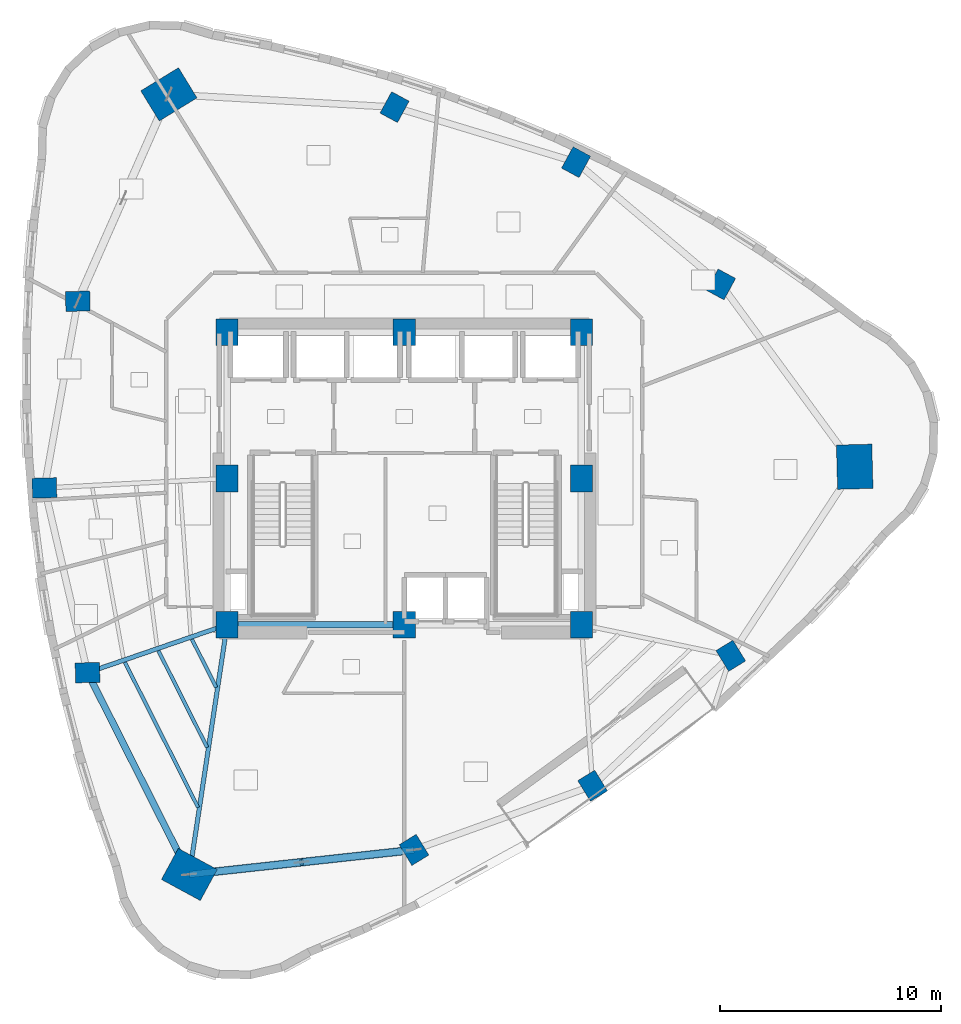
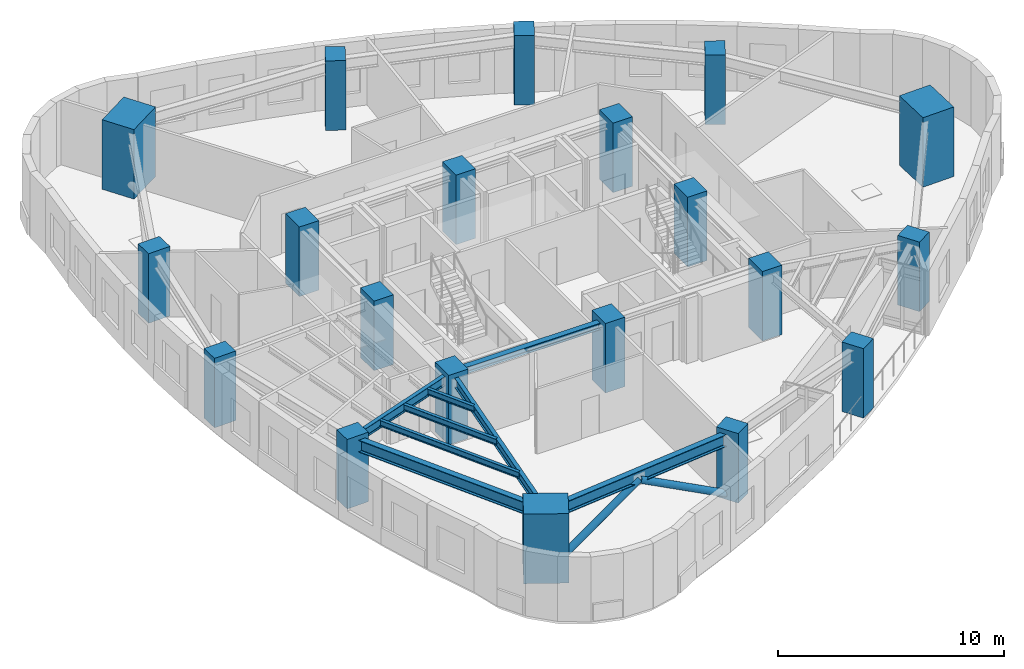
# One storey, part 1 of 12: 20 columns, 8 beams, 2 members.
"""IFC4 building model written with IfcOpenShell, lengths in metres."""

import ifcopenshell
import ifcopenshell.guid

model = None  # the IFC model being written
_history = None  # IfcOwnerHistory: only IFC2X3 demands one
_inside = {}  # id of a spatial element -> (the spatial element, [elements in it])
_under = {}  # id of a project, library or spatial element -> (it, [spatial elements below it])
_declared = {}  # id of a project -> (the project, [libraries it declares])
_typed = {}  # id of a type object -> (the type object, [elements of that type])
_made_of = {}  # id of a material, layer set ... -> (it, [elements and type objects made of it])


def new_model(schema):
    """Start an empty IFC model of exactly this schema.

    Asked for "IFC4X3", IfcOpenShell would pick the latest addendum, in which some entities
    have other attributes; the version numbers below select the first issue.
    IFC2X3 requires an IfcOwnerHistory on every rooted entity: one is made here for all.
    """
    global model, _history
    if schema == "IFC4X3":
        model = ifcopenshell.file(schema_version=(4, 3, 0, 0))
    else:
        model = ifcopenshell.file(schema=schema)
    _inside.clear()
    _under.clear()
    _declared.clear()
    _typed.clear()
    _made_of.clear()
    _history = None
    if model.schema == "IFC2X3":
        org = make("IfcOrganization", Name="unknown")
        user = make(
            "IfcPersonAndOrganization",
            ThePerson=make("IfcPerson", FamilyName="unknown"),
            TheOrganization=org,
        )
        app = make(
            "IfcApplication",
            ApplicationDeveloper=org,
            Version="unknown",
            ApplicationFullName="unknown",
            ApplicationIdentifier="unknown",
        )
        _history = make(
            "IfcOwnerHistory",
            OwningUser=user,
            OwningApplication=app,
            ChangeAction="ADDED",
            CreationDate=0,
        )
    return model


def make(cls, **values):
    """One entity of the class cls with the attributes given. An attribute that is None is left unset."""
    return model.create_entity(
        cls, **{name: value for name, value in values.items() if value is not None}
    )


def rooted(cls, **values):
    """An entity with a GlobalId (a new one), such as an element, a storey or a relation."""
    return make(cls, GlobalId=ifcopenshell.guid.new(), OwnerHistory=_history, **values)


def si_unit(unit_type, name, prefix=None):
    """IfcSIUnit, for example si_unit("LENGTHUNIT", "METRE", prefix="MILLI")."""
    return make("IfcSIUnit", UnitType=unit_type, Prefix=prefix, Name=name)


def assignment(units):
    """IfcUnitAssignment: the units of a project."""
    return None if units is None else make("IfcUnitAssignment", Units=units)


def point(xyz):
    """IfcCartesianPoint."""
    return None if xyz is None else make("IfcCartesianPoint", Coordinates=xyz)


def direction(xyz):
    """IfcDirection."""
    return None if xyz is None else make("IfcDirection", DirectionRatios=xyz)


def frame(location, z_axis=None, x_axis=None):
    """IfcAxis2Placement3D, a coordinate frame: its origin and axes. An axis left out is left unset."""
    return make(
        "IfcAxis2Placement3D",
        Location=point(location),
        Axis=direction(z_axis),
        RefDirection=direction(x_axis),
    )


def frame_2d(location, x_axis=None):
    """IfcAxis2Placement2D, a coordinate frame in the plane: its origin and x axis."""
    return make(
        "IfcAxis2Placement2D", Location=point(location), RefDirection=direction(x_axis)
    )


def origin():
    """The frame at (0, 0, 0) with its axes left unset."""
    return frame((0.0, 0.0, 0.0))


def origin_2d():
    """The frame at (0, 0) in the plane with its x axis left unset."""
    return frame_2d((0.0, 0.0))


def place(relative_to, where):
    """IfcLocalPlacement: puts the frame where relative to a parent placement (None: the world)."""
    return make(
        "IfcLocalPlacement", PlacementRelTo=relative_to, RelativePlacement=where
    )


def context(
    kind, dimensions, precision=None, world=None, true_north=None, identifier=None
):
    """IfcGeometricRepresentationContext, for example the 3D "Model" context."""
    return make(
        "IfcGeometricRepresentationContext",
        ContextIdentifier=identifier,
        ContextType=kind,
        CoordinateSpaceDimension=dimensions,
        Precision=precision,
        WorldCoordinateSystem=world,
        TrueNorth=true_north,
    )


def subcontext(parent, identifier, kind, view, scale=None):
    """IfcGeometricRepresentationSubContext, for example "Body" below "Model"."""
    return make(
        "IfcGeometricRepresentationSubContext",
        ContextIdentifier=identifier,
        ContextType=kind,
        ParentContext=parent,
        TargetScale=scale,
        TargetView=view,
    )


def project(units=None, contexts=None):
    """IfcProject with its units and contexts."""
    return rooted(
        "IfcProject",
        Name="project",
        RepresentationContexts=contexts,
        UnitsInContext=assignment(units),
    )


def spatial(cls, under=None, at=None, **own):
    """A site, building, storey or space (cls), placed at a placement, below another one or the project."""
    s = rooted(cls, ObjectPlacement=at, **own)
    if under is not None:
        _under.setdefault(under.id(), (under, []))[1].append(s)
    return s


def profile(cls, at=None, kind="AREA", **sizes):
    """A parametric profile (cls). Its sizes go by their IFC names, for example OverallWidth=200.0."""
    return make(cls, ProfileType=kind, Position=at, **sizes)


def rectangle(**sizes):
    """IfcRectangleProfileDef."""
    return profile("IfcRectangleProfileDef", **sizes)


def hollow_circle(**sizes):
    """IfcCircleHollowProfileDef."""
    return profile("IfcCircleHollowProfileDef", **sizes)


def i_section(**sizes):
    """IfcIShapeProfileDef."""
    return profile("IfcIShapeProfileDef", **sizes)


def extrude(swept, where, along, depth):
    """IfcExtrudedAreaSolid: the profile swept, set in the frame where, extruded along a direction by depth."""
    return make(
        "IfcExtrudedAreaSolid",
        SweptArea=swept,
        Position=where,
        ExtrudedDirection=direction(along),
        Depth=depth,
    )


def shape(context_of_items, identifier, shape_type, items):
    """IfcShapeRepresentation: the items that make up one representation, for example the "Body"."""
    return make(
        "IfcShapeRepresentation",
        ContextOfItems=context_of_items,
        RepresentationIdentifier=identifier,
        RepresentationType=shape_type,
        Items=items,
    )


def material(Name=None, Category=None):
    """IfcMaterial."""
    return make("IfcMaterial", Name=Name, Category=Category)


def material_profile(
    of_material, cross_section, Name=None, Category=None, Priority=None
):
    """IfcMaterialProfile: a cross section and its material."""
    return make(
        "IfcMaterialProfile",
        Name=Name,
        Material=of_material,
        Profile=cross_section,
        Priority=Priority,
        Category=Category,
    )


def profile_set(profiles, Name=None, composite=None):
    """IfcMaterialProfileSet."""
    return make(
        "IfcMaterialProfileSet",
        Name=Name,
        MaterialProfiles=profiles,
        CompositeProfile=composite,
    )


def made_of(thing, what):
    """Note that an element or type object is made of a material, layer set ...; save() writes the relation."""
    if what is not None:
        _made_of.setdefault(what.id(), (what, []))[1].append(thing)
    return thing


def type_object(cls, material=None, **own):
    """A type object (cls), such as IfcWallType, which elements share."""
    return made_of(rooted(cls, **own), material)


def element(
    cls,
    number,
    at=None,
    inside=None,
    cuts=None,
    type_object=None,
    material=None,
    context=None,
    identifier="Body",
    shape_type=None,
    held_by="IfcProductDefinitionShape",
    body=None,
    shapes=None,
    **own,
):
    """One element of the class cls, such as IfcWall. Its Tag is "e" and its number.

    at: its placement. inside: the storey or other place that contains it. cuts: it is an
    opening in that element (IfcRelVoidsElement). A single representation is given by context,
    identifier, shape_type and body (its items); several are given by shapes. held_by: the class
    of the entity that holds the representations. save() writes the other relations.
    """
    e = rooted(cls, Tag="e%d" % number, ObjectPlacement=at, **own)
    if body is not None:
        shapes = [shape(context, identifier, shape_type, body)]
    if shapes is not None:
        e.Representation = make(held_by, Representations=shapes)
    if inside is not None:
        _inside.setdefault(inside.id(), (inside, []))[1].append(e)
    if cuts is not None:
        rooted(
            "IfcRelVoidsElement", RelatingBuildingElement=cuts, RelatedOpeningElement=e
        )
    if type_object is not None:
        _typed.setdefault(type_object.id(), (type_object, []))[1].append(e)
    return made_of(e, material)


def aggregate(whole, parts):
    """IfcRelAggregates: a whole, such as a stair, and the parts it consists of."""
    return rooted("IfcRelAggregates", RelatingObject=whole, RelatedObjects=parts)


def save(model, path):
    """Write the relations noted so far, then the file.

    IfcRelAggregates (storeys below a building ...), IfcRelContainedInSpatialStructure (elements
    in a storey), IfcRelDefinesByType, IfcRelAssociatesMaterial and IfcRelDeclares: one each for
    every whole, place, type object, material and project.
    """
    for whole, parts in _under.values():
        aggregate(whole, parts)
    for where, things in _inside.values():
        rooted(
            "IfcRelContainedInSpatialStructure",
            RelatedElements=things,
            RelatingStructure=where,
        )
    for kind, things in _typed.values():
        rooted("IfcRelDefinesByType", RelatedObjects=things, RelatingType=kind)
    for what, things in _made_of.values():
        rooted("IfcRelAssociatesMaterial", RelatedObjects=things, RelatingMaterial=what)
    for by, libraries in _declared.values():
        rooted("IfcRelDeclares", RelatingContext=by, RelatedDefinitions=libraries)
    model.write(path)


model = new_model("IFC4")

# Units and contexts
model_context = context("Model", 3, precision=1e-05, world=origin(), true_north=direction((0.0, 1.0)))
body_context = subcontext(model_context, "Body", "Model", "MODEL_VIEW")
ifc_project = project(units=[si_unit("LENGTHUNIT", "METRE"), si_unit("AREAUNIT", "SQUARE_METRE"), si_unit("VOLUMEUNIT", "CUBIC_METRE"), si_unit("PLANEANGLEUNIT", "RADIAN"), si_unit("MASSUNIT", "GRAM", prefix="KILO")], contexts=[model_context])

# Site, building, storey
site_placement = place(None, origin())
site = spatial("IfcSite", under=ifc_project, at=site_placement, CompositionType="ELEMENT")
building_placement = place(site_placement, origin())
building = spatial("IfcBuilding", under=site, at=building_placement, Name="Ndelora Gate Hotel", CompositionType="ELEMENT")
storey_placement = place(building_placement, frame((0.0, 0.0, 142.25)))
storey = spatial("IfcBuildingStorey", under=building, at=storey_placement, Name="L35", CompositionType="ELEMENT", Elevation=142.25)

# Columns
ifc_material_1 = material(Name="Concrete C60/75", Category="concrete")
ifc_material_profile_1 = material_profile(ifc_material_1, rectangle(XDim=1.0, YDim=1.199951171875, at=origin_2d()), Name="RC 1200x1000")
ifc_profile_set_1 = profile_set([ifc_material_profile_1], Name="Concrete C60/75")
column_type_1 = type_object("IfcColumnType", Name="COL-CC-MID", PredefinedType="COLUMN", material=ifc_profile_set_1)
for number, where, z_axis, x_axis, name in (
    (1, (-8.0, -6.60009765625, 0.0), (0.0, 0.0, 1.0), (1.0, 0.0, 0.0), "L35 Core Column CC1"),
    (2, (0.0, -6.60009765625, 0.0), (0.0, 0.0, 1.0), (1.0, 0.0, 0.0), "L35 Core Column CC2"),
    (3, (8.0, -6.60009765625, 0.0), (0.0, 0.0, 1.0), (1.0, 0.0, 0.0), "L35 Core Column CC3"),
    (4, (8.0, 0.0, 0.0), (0.0, 0.0, 1.0), (1.0, 0.0, 0.0), "L35 Core Column CC4"),
    (5, (8.0, 6.60009765625, 0.0), (0.0, 0.0, 1.0), (1.0, 0.0, 0.0), "L35 Core Column CC5"),
    (6, (0.0, 6.60009765625, 0.0), (0.0, 0.0, 1.0), (1.0, 0.0, 0.0), "L35 Core Column CC6"),
    (7, (-8.0, 6.60009765625, 0.0), (0.0, 0.0, 1.0), (1.0, 0.0, 0.0), "L35 Core Column CC7"),
    (8, (-8.0, 0.0, 0.0), (0.0, 0.0, 1.0), (1.0, 0.0, 0.0), "L35 Core Column CC8"),
):
    element("IfcColumn", number, at=place(storey_placement, frame(where, z_axis=z_axis, x_axis=x_axis)), inside=storey, type_object=column_type_1, Name=name, PredefinedType="COLUMN", context=body_context, shape_type="SweptSolid", body=[
        extrude(rectangle(XDim=1.0, YDim=1.199951171875, at=origin_2d()), origin(), (0.0, 0.0, 1.0), 3.75),
    ])
ifc_material_profile_2 = material_profile(ifc_material_1, rectangle(XDim=1.60009765625, YDim=2.0, at=origin_2d()), Name="RC 2000x1600")
ifc_profile_set_2 = profile_set([ifc_material_profile_2], Name="Concrete C60/75")
column_type_2 = type_object("IfcColumnType", Name="COL-MC-Z2", PredefinedType="COLUMN", material=ifc_profile_set_2)
for number, where, z_axis, x_axis, name in (
    (9, (-10.63330078125, 17.351806640625, 0.0), (0.0, 0.0, 1.0), (-0.522498564716, 0.852640164354, 0.0), "L35 Corner Mega-Column R1"),
    (10, (-9.71044921875, -17.884521484375, 0.0), (0.0, 0.0, 1.0), (0.47715876026, 0.878817112662, 0.0), "L35 Corner Mega-Column R5"),
    (11, (20.34375, 0.53271484375, 0.0), (0.0, 0.0, 1.0), (0.999657324976, 0.026176948308, 0.0), "L35 Corner Mega-Column R9"),
):
    element("IfcColumn", number, at=place(storey_placement, frame(where, z_axis=z_axis, x_axis=x_axis)), inside=storey, type_object=column_type_2, Name=name, PredefinedType="COLUMN", context=body_context, shape_type="SweptSolid", body=[
        extrude(rectangle(XDim=1.60009765625, YDim=2.0, at=origin_2d()), origin(), (0.0, 0.0, 1.0), 3.75),
    ])
ifc_material_profile_3 = material_profile(ifc_material_1, rectangle(XDim=0.89990234375, YDim=1.10009765625, at=origin_2d()), Name="RC 1100x900")
ifc_profile_set_3 = profile_set([ifc_material_profile_3], Name="Concrete C60/75")
column_type_3 = type_object("IfcColumnType", Name="COL-PT-Z2", PredefinedType="COLUMN", material=ifc_profile_set_3)
for number, where, z_axis, x_axis, name in (
    (12, (-14.74658203125, 8.006591796875, 0.0), (0.0, 0.0, 1.0), (-0.026176948308, 0.999657324976, 0.0), "L35 Perimeter Tube Column R2"),
    (13, (-16.25537109375, -0.42578125, 0.0), (0.0, 0.0, 1.0), (-0.026176948308, 0.999657324976, 0.0), "L35 Perimeter Tube Column R3"),
    (14, (-14.307373046875, -8.767578125, 0.0), (0.0, 0.0, 1.0), (-0.026176948308, 0.999657324976, 0.0), "L35 Perimeter Tube Column R4"),
    (15, (0.439208984375, -16.7744140625, 0.0), (0.0, 0.0, 1.0), (0.852640164354, 0.522498564716, 0.0), "L35 Perimeter Tube Column R6"),
    (16, (8.50439453125, -13.878173828125, 0.0), (0.0, 0.0, 1.0), (0.852640164354, 0.522498564716, 0.0), "L35 Perimeter Tube Column R7"),
    (17, (14.74658203125, -8.006591796875, 0.0), (0.0, 0.0, 1.0), (0.852640164354, 0.522498564716, 0.0), "L35 Perimeter Tube Column R8"),
    (18, (14.30712890625, 8.767333984375, 0.0), (0.0, 0.0, 1.0), (-0.878817112662, 0.47715876026, 0.0), "L35 Perimeter Tube Column R10"),
    (19, (7.759033203125, 14.290283203125, 0.0), (0.0, 0.0, 1.0), (-0.878817112662, 0.47715876026, 0.0), "L35 Perimeter Tube Column R11"),
    (20, (-0.439208984375, 16.7744140625, 0.0), (0.0, 0.0, 1.0), (-0.878817112662, 0.47715876026, 0.0), "L35 Perimeter Tube Column R12"),
):
    element("IfcColumn", number, at=place(storey_placement, frame(where, z_axis=z_axis, x_axis=x_axis)), inside=storey, type_object=column_type_3, Name=name, PredefinedType="COLUMN", context=body_context, shape_type="SweptSolid", body=[
        extrude(rectangle(XDim=0.89990234375, YDim=1.10009765625, at=origin_2d()), origin(), (0.0, 0.0, 1.0), 3.75),
    ])

# Beams
ifc_material_2 = material(Name="Steel S355", Category="steel")
ifc_material_profile_4 = material_profile(ifc_material_2, i_section(OverallWidth=0.300048828125, OverallDepth=0.360107421875, WebThickness=0.012451171875, FlangeThickness=0.0224609375, FilletRadius=0.027099609375, at=origin_2d()), Name="HEB 360")
ifc_profile_set_4 = profile_set([ifc_material_profile_4], Name="Steel S355")
beam_type_1 = type_object("IfcBeamType", Name="BM-CORE-360", PredefinedType="BEAM", material=ifc_profile_set_4)
beam_1_placement = place(storey_placement, frame((-8.0, -6.60009765625, 3.320068359375), z_axis=(1.0, 0.0, 0.0), x_axis=(0.0, 1.0, 0.0)))
element("IfcBeam", 21, at=beam_1_placement, inside=storey, type_object=beam_type_1, Name="L35 Core Tie Girder CC1-CC2", PredefinedType="BEAM", context=body_context, shape_type="SweptSolid", body=[
    extrude(i_section(OverallWidth=0.300048828125, OverallDepth=0.360107421875, WebThickness=0.012451171875, FlangeThickness=0.0224609375, FilletRadius=0.027099609375, at=origin_2d()), origin(), (0.0, 0.0, 1.0), 8.0),
])
ifc_material_profile_5 = material_profile(ifc_material_2, i_section(OverallWidth=0.159912109375, OverallDepth=0.330078125, WebThickness=0.007568359375, FlangeThickness=0.011474609375, FilletRadius=0.01806640625, at=origin_2d()), Name="IPE 330")
ifc_profile_set_5 = profile_set([ifc_material_profile_5], Name="Steel S355")
beam_type_2 = type_object("IfcBeamType", Name="BM-JST-330", PredefinedType="JOIST", material=ifc_profile_set_5)
beam_2_placement = place(storey_placement, frame((-9.59033203125, -7.26171875, 3.3349609375), z_axis=(0.450139260243, -0.892958367668, 0.0), x_axis=(0.892958367668, 0.450139260243, 0.0)))
element("IfcBeam", 22, at=beam_2_placement, inside=storey, type_object=beam_type_2, Name="L35 Secondary Composite Floor Joist IN-4", PredefinedType="JOIST", context=body_context, shape_type="SweptSolid", body=[
    extrude(i_section(OverallWidth=0.159912109375, OverallDepth=0.330078125, WebThickness=0.007568359375, FlangeThickness=0.011474609375, FilletRadius=0.01806640625, at=origin_2d()), origin(), (0.0, 0.0, 1.0), 2.4345703125),
])
beam_3_placement = place(storey_placement, frame((-11.10400390625, -7.781982421875, 3.3349609375), z_axis=(0.450189724408, -0.892932926953, 0.0), x_axis=(0.892932926953, 0.450189724408, 0.0)))
element("IfcBeam", 23, at=beam_3_placement, inside=storey, type_object=beam_type_2, Name="L35 Secondary Composite Floor Joist MID-4", PredefinedType="JOIST", context=body_context, shape_type="SweptSolid", body=[
    extrude(i_section(OverallWidth=0.159912109375, OverallDepth=0.330078125, WebThickness=0.007568359375, FlangeThickness=0.011474609375, FilletRadius=0.01806640625, at=origin_2d()), origin(), (0.0, 0.0, 1.0), 4.885009765625),
])
beam_4_placement = place(storey_placement, frame((-12.617919921875, -8.30224609375, 3.3349609375), z_axis=(0.45023300903, -0.892911102843, 0.0), x_axis=(0.892911102843, 0.45023300903, 0.0)))
element("IfcBeam", 24, at=beam_4_placement, inside=storey, type_object=beam_type_2, Name="L35 Secondary Composite Floor Joist OUT-4", PredefinedType="JOIST", context=body_context, shape_type="SweptSolid", body=[
    extrude(i_section(OverallWidth=0.159912109375, OverallDepth=0.330078125, WebThickness=0.007568359375, FlangeThickness=0.011474609375, FilletRadius=0.01806640625, at=origin_2d()), origin(), (0.0, 0.0, 1.0), 7.335693359375),
])
ifc_material_profile_6 = material_profile(ifc_material_2, i_section(OverallWidth=0.199951171875, OverallDepth=0.5, WebThickness=0.01025390625, FlangeThickness=0.01611328125, FilletRadius=0.02099609375, at=origin_2d()), Name="IPE 500")
ifc_profile_set_6 = profile_set([ifc_material_profile_6], Name="Steel S355")
beam_type_3 = type_object("IfcBeamType", Name="BM-RAD-500", PredefinedType="BEAM", material=ifc_profile_set_6)
beam_5_placement = place(storey_placement, frame((-8.0, -6.60009765625, 3.25), z_axis=(-0.945717893913, -0.324988715392, 0.0), x_axis=(0.324988715392, -0.945717893913, 0.0)))
element("IfcBeam", 25, at=beam_5_placement, inside=storey, type_object=beam_type_3, Name="L35 Radial Floor Girder 4", PredefinedType="BEAM", context=body_context, shape_type="SweptSolid", body=[
    extrude(i_section(OverallWidth=0.199951171875, OverallDepth=0.5, WebThickness=0.01025390625, FlangeThickness=0.01611328125, FilletRadius=0.02099609375, at=origin_2d()), origin(), (0.0, 0.0, 1.0), 6.66943359375),
])
beam_6_placement = place(storey_placement, frame((-8.0, -6.60009765625, 3.25), z_axis=(-0.149864309615, -0.988706573612, 0.0), x_axis=(0.988706573612, -0.149864309615, 0.0)))
element("IfcBeam", 26, at=beam_6_placement, inside=storey, type_object=beam_type_3, Name="L35 Radial Floor Girder 5", PredefinedType="BEAM", context=body_context, shape_type="SweptSolid", body=[
    extrude(i_section(OverallWidth=0.199951171875, OverallDepth=0.5, WebThickness=0.01025390625, FlangeThickness=0.01611328125, FilletRadius=0.02099609375, at=origin_2d()), origin(), (0.0, 0.0, 1.0), 11.413330078125),
])
ifc_material_profile_7 = material_profile(ifc_material_2, i_section(OverallWidth=0.300048828125, OverallDepth=0.64990234375, WebThickness=0.01611328125, FlangeThickness=0.031005859375, FilletRadius=0.027099609375, at=origin_2d()), Name="HEB 650")
ifc_profile_set_7 = profile_set([ifc_material_profile_7], Name="Steel S355")
beam_type_4 = type_object("IfcBeamType", Name="BM-RING-650", PredefinedType="SPANDREL", material=ifc_profile_set_7)
for number, where, z_axis, x_axis, name in (
    (27, (-14.307373046875, -8.767578125, 3.175048828125), (0.450223868811, -0.892915711561, 0.0), (0.892915711561, 0.450223868811, 0.0), "L35 Perimeter Spandrel Girder 4"),
    (28, (-9.71044921875, -17.884521484375, 3.175048828125), (0.994071812898, 0.108725483685, 0.0), (-0.108725483685, 0.994071812898, 0.0), "L35 Perimeter Spandrel Girder 5"),
):
    element("IfcBeam", number, at=place(storey_placement, frame(where, z_axis=z_axis, x_axis=x_axis)), inside=storey, type_object=beam_type_4, Name=name, PredefinedType="SPANDREL", context=body_context, shape_type="SweptSolid", body=[
        extrude(i_section(OverallWidth=0.300048828125, OverallDepth=0.64990234375, WebThickness=0.01611328125, FlangeThickness=0.031005859375, FilletRadius=0.027099609375, at=origin_2d()), origin(), (0.0, 0.0, 1.0), 10.210205078125),
    ])

# Members
ifc_material_profile_8 = material_profile(ifc_material_2, hollow_circle(Radius=0.177978515625, WallThickness=0.01611328125, at=origin_2d()), Name="CHS 356x16")
ifc_profile_set_8 = profile_set([ifc_material_profile_8], Name="Steel S355")
member_type = type_object("IfcMemberType", Name="MB-TUBE-356", PredefinedType="BRACE", material=ifc_profile_set_8)
member_1_placement = place(storey_placement, frame((-9.71044921875, -17.884521484375, 0.02001953125), z_axis=(0.862164358584, 0.094279783848, 0.497779008341), x_axis=(-0.108704438667, 0.994074114447, 0.0)))
element("IfcMember", 29, at=member_1_placement, inside=storey, type_object=member_type, Name="L35 Perimeter Braced-Tube Diagonal 5A", PredefinedType="BRACE", context=body_context, shape_type="SweptSolid", body=[
    extrude(hollow_circle(Radius=0.177978515625, WallThickness=0.01611328125, at=origin_2d()), origin(), (0.0, 0.0, 1.0), 5.885986328125),
])
member_2_placement = place(storey_placement, frame((0.439208984375, -16.7744140625, 0.02001953125), z_axis=(-0.862171632255, -0.094317520169, 0.497759261013), x_axis=(0.108746527545, -0.994069511024, 0.0)))
element("IfcMember", 30, at=member_2_placement, inside=storey, type_object=member_type, Name="L35 Perimeter Braced-Tube Diagonal 5B", PredefinedType="BRACE", context=body_context, shape_type="SweptSolid", body=[
    extrude(hollow_circle(Radius=0.177978515625, WallThickness=0.01611328125, at=origin_2d()), origin(), (0.0, 0.0, 1.0), 5.88623046875),
])

save(model, "model.ifc")
